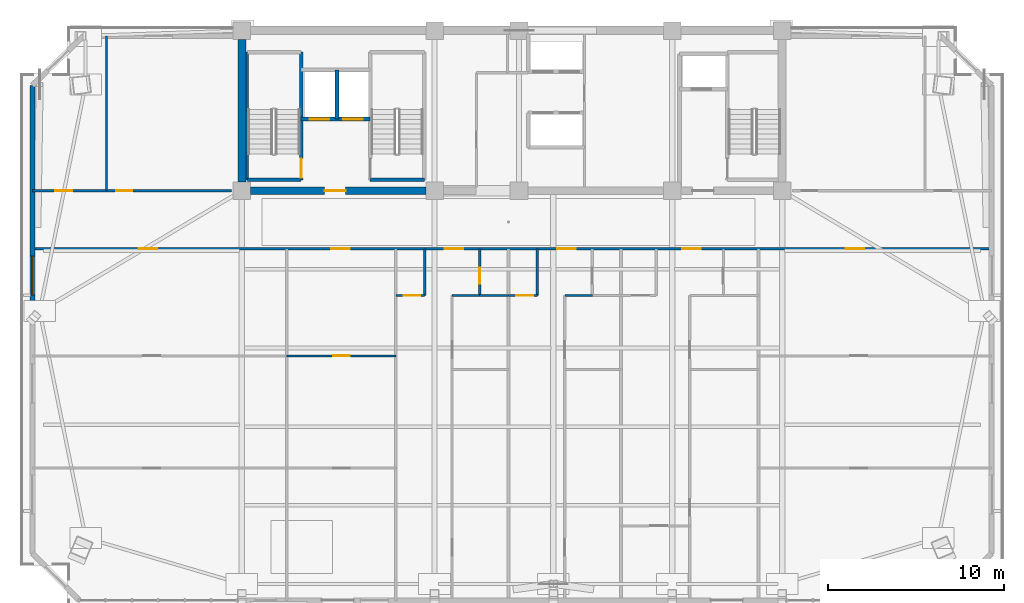
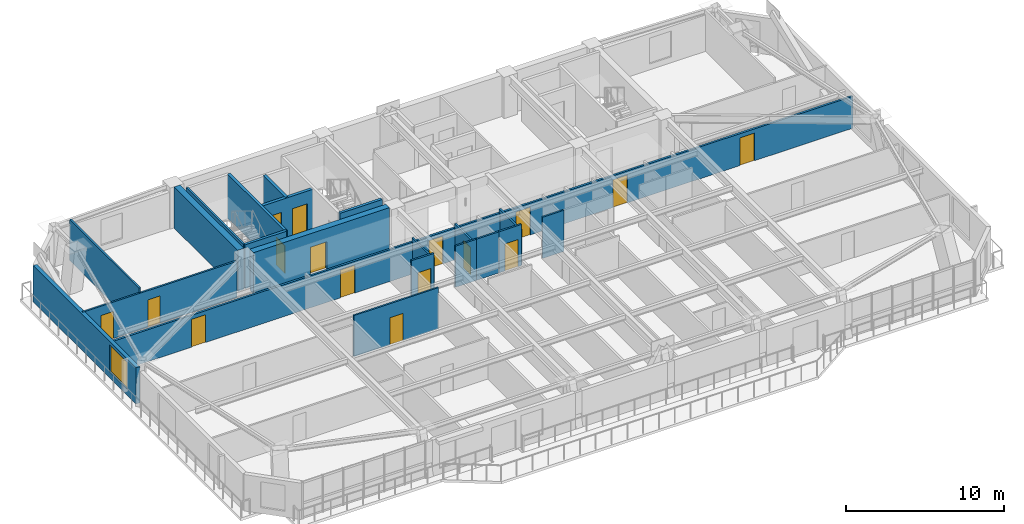
# One storey, part 9 of 18: 21 walls, 16 doors, 1 window, 17 openings.
"""IFC4 building model written with IfcOpenShell, lengths in metres."""

from ifc_helpers import new_model, si_unit, direction, frame, frame_2d, origin, place, context, subcontext, project, spatial, rectangle, extrude, source, transform, mapped, material, layer, layer_set, type_object, element, fill, save


model = new_model("IFC4")

# Units and contexts
model_context = context("Model", 3, precision=1e-05, world=origin(), true_north=direction((0.0, 1.0)))
body_context = subcontext(model_context, "Body", "Model", "MODEL_VIEW")
ifc_project = project(units=[si_unit("LENGTHUNIT", "METRE"), si_unit("AREAUNIT", "SQUARE_METRE"), si_unit("VOLUMEUNIT", "CUBIC_METRE"), si_unit("PLANEANGLEUNIT", "RADIAN"), si_unit("MASSUNIT", "GRAM", prefix="KILO")], contexts=[model_context])

# Site, building, storey
site_placement = place(None, origin())
site = spatial("IfcSite", under=ifc_project, at=site_placement, CompositionType="ELEMENT")
building_placement = place(site_placement, origin())
building = spatial("IfcBuilding", under=site, at=building_placement, Name="Giltprow Tower", CompositionType="ELEMENT")
storey_placement = place(building_placement, frame((0.0, 0.0, 245.10009765625)))
storey = spatial("IfcBuildingStorey", under=building, at=storey_placement, Name="L62", CompositionType="ELEMENT", Elevation=245.10009765625)

# Wall, opening, window
ifc_material_1 = material(Name="Precast concrete C40", Category="concrete")
ifc_layer_1 = layer(ifc_material_1, 0.280029296875, Name="Precast concrete C40")
ifc_layer_set_1 = layer_set([ifc_layer_1], Name="Precast concrete C40")
wall_type_1 = type_object("IfcWallType", Name="EW-TOW-BRONZE-280", PredefinedType="SOLIDWALL", material=ifc_layer_set_1)
wall_1_placement = place(storey_placement, frame((7.947998046875, 30.39111328125, 0.0), z_axis=(0.0, 0.0, 1.0), x_axis=(0.0, 1.0, 0.0)))
wall_1 = element("IfcWall", 1, at=wall_1_placement, inside=storey, type_object=wall_type_1, Name="L62 W Wing Masonry Wall 2", PredefinedType="SOLIDWALL", context=body_context, shape_type="SweptSolid", body=[
    extrude(rectangle(XDim=13.0478515625, YDim=0.280029296875, at=frame_2d((6.52392578125, 0.0))), origin(), (0.0, 0.0, 1.0), 2.81494140625),
])
opening_1_placement = place(wall_1_placement, frame((1.14404296875, 0.0, 0.449951171875)))
opening_1 = element("IfcOpeningElement", 2, at=opening_1_placement, cuts=wall_1, Name="Opening WN27", PredefinedType="OPENING", context=body_context, shape_type="SweptSolid", body=[
    extrude(rectangle(XDim=2.199951171875, YDim=2.10009765625, at=frame_2d((1.10009765625, 1.050048828125))), frame((0.0, 0.14990234375, 0.0), z_axis=(0.0, -1.0, 0.0), x_axis=(1.0, 0.0, 0.0)), (0.0, 0.0, 1.0), 0.300048828125),
])
ifc_material_2 = material(Name="Insulated glass", Category="glass")
window_type = type_object("IfcWindowType", Name="WN-RES-2200x2100", PartitioningType="TRIPLE_PANEL_VERTICAL", PredefinedType="WINDOW", material=ifc_material_2)
shared_shape_1 = source(origin(), body_context, "Body", "SweptSolid", [
    extrude(rectangle(XDim=2.199951171875, YDim=2.10009765625, at=frame_2d((1.10009765625, 1.050048828125))), frame((0.0, 0.030029296875, 0.0), z_axis=(0.0, -1.0, 0.0), x_axis=(1.0, 0.0, 0.0)), (0.0, 0.0, 1.0), 0.06005859375),
])
window_placement = place(opening_1_placement, origin())
window = element("IfcWindow", 3, at=window_placement, inside=storey, type_object=window_type, Name="L62 W Wing Window 2-1", OverallHeight=2.10009765625, OverallWidth=2.199951171875, PartitioningType="SINGLE_PANEL", PredefinedType="WINDOW", context=body_context, shape_type="MappedRepresentation", body=[
    mapped(shared_shape_1, transform((0.0, 0.0, 0.0), x_axis=(1.0, 0.0, 0.0), y_axis=(0.0, 1.0, 0.0), z_axis=(0.0, 0.0, 1.0), scale=1.0)),
])
fill(opening_1, window)

# Wall, openings, doors
ifc_material_3 = material(Name="Gypsum stud partition", Category="gypsum")
ifc_layer_2 = layer(ifc_material_3, 0.14990234375, Name="Gypsum stud partition")
ifc_layer_set_2 = layer_set([ifc_layer_2], Name="Gypsum stud partition")
wall_type_2 = type_object("IfcWallType", Name="IW-CORR-150", PredefinedType="PARTITIONING", material=ifc_layer_set_2)
wall_2_placement = place(storey_placement, frame((7.947998046875, 34.14990234375, 0.0), z_axis=(0.0, 0.0, 1.0), x_axis=(1.0, 0.0, 0.0)))
wall_2 = element("IfcWall", 4, at=wall_2_placement, inside=storey, type_object=wall_type_2, Name="L62 Residence Gallery Corridor Wall", PredefinedType="PARTITIONING", context=body_context, shape_type="SweptSolid", body=[
    extrude(rectangle(XDim=54.50390625, YDim=0.14990234375, at=frame_2d((27.251953125, 0.0))), origin(), (0.0, 0.0, 1.0), 2.469970703125),
])
opening_2_placement = place(wall_2_placement, frame((6.04296875, 0.0, 0.0)))
opening_2 = element("IfcOpeningElement", 5, at=opening_2_placement, cuts=wall_2, Name="Opening ID31", PredefinedType="OPENING", context=body_context, shape_type="SweptSolid", body=[
    extrude(rectangle(XDim=1.050048828125, YDim=2.14990234375, at=frame_2d((0.52490234375, 1.074951171875))), frame((0.0, 0.0849609375, 0.0), z_axis=(0.0, -1.0, 0.0), x_axis=(1.0, 0.0, 0.0)), (0.0, 0.0, 1.0), 0.169921875),
])
opening_3_placement = place(wall_2_placement, frame((16.97705078125, 0.0, 0.0)))
opening_3 = element("IfcOpeningElement", 6, at=opening_3_placement, cuts=wall_2, Name="Opening ID31", PredefinedType="OPENING", context=body_context, shape_type="SweptSolid", body=[
    extrude(rectangle(XDim=1.050048828125, YDim=2.14990234375, at=frame_2d((0.52490234375, 1.074951171875))), frame((0.0, 0.0849609375, 0.0), z_axis=(0.0, -1.0, 0.0), x_axis=(1.0, 0.0, 0.0)), (0.0, 0.0, 1.0), 0.169921875),
])
opening_4_placement = place(wall_2_placement, frame((23.427001953125, 0.0, 0.0)))
opening_4 = element("IfcOpeningElement", 7, at=opening_4_placement, cuts=wall_2, Name="Opening ID31", PredefinedType="OPENING", context=body_context, shape_type="SweptSolid", body=[
    extrude(rectangle(XDim=1.050048828125, YDim=2.14990234375, at=frame_2d((0.52490234375, 1.074951171875))), frame((0.0, 0.0849609375, 0.0), z_axis=(0.0, -1.0, 0.0), x_axis=(1.0, 0.0, 0.0)), (0.0, 0.0, 1.0), 0.169921875),
])
opening_5_placement = place(wall_2_placement, frame((29.826904296875, 0.0, 0.0)))
opening_5 = element("IfcOpeningElement", 8, at=opening_5_placement, cuts=wall_2, Name="Opening ID31", PredefinedType="OPENING", context=body_context, shape_type="SweptSolid", body=[
    extrude(rectangle(XDim=1.050048828125, YDim=2.14990234375, at=frame_2d((0.52490234375, 1.074951171875))), frame((0.0, 0.0849609375, 0.0), z_axis=(0.0, -1.0, 0.0), x_axis=(1.0, 0.0, 0.0)), (0.0, 0.0, 1.0), 0.169921875),
])
opening_6_placement = place(wall_2_placement, frame((36.927001953125, 0.0, 0.0)))
opening_6 = element("IfcOpeningElement", 9, at=opening_6_placement, cuts=wall_2, Name="Opening ID31", PredefinedType="OPENING", context=body_context, shape_type="SweptSolid", body=[
    extrude(rectangle(XDim=1.050048828125, YDim=2.14990234375, at=frame_2d((0.52490234375, 1.074951171875))), frame((0.0, 0.0849609375, 0.0), z_axis=(0.0, -1.0, 0.0), x_axis=(1.0, 0.0, 0.0)), (0.0, 0.0, 1.0), 0.169921875),
])
opening_7_placement = place(wall_2_placement, frame((46.222900390625, 0.0, 0.0)))
opening_7 = element("IfcOpeningElement", 10, at=opening_7_placement, cuts=wall_2, Name="Opening ID31", PredefinedType="OPENING", context=body_context, shape_type="SweptSolid", body=[
    extrude(rectangle(XDim=1.050048828125, YDim=2.14990234375, at=frame_2d((0.52490234375, 1.074951171875))), frame((0.0, 0.0849609375, 0.0), z_axis=(0.0, -1.0, 0.0), x_axis=(1.0, 0.0, 0.0)), (0.0, 0.0, 1.0), 0.169921875),
])
ifc_material_4 = material(Name="Engineered timber", Category="wood")
door_type_1 = type_object("IfcDoorType", Name="DR-SUITE-1050", OperationType="SINGLE_SWING_LEFT", PredefinedType="DOOR", material=ifc_material_4)
shared_shape_2 = source(origin(), body_context, "Body", "SweptSolid", [
    extrude(rectangle(XDim=1.050048828125, YDim=2.14990234375, at=frame_2d((0.52490234375, 1.074951171875))), frame((0.0, 0.02490234375, 0.0), z_axis=(0.0, -1.0, 0.0), x_axis=(1.0, 0.0, 0.0)), (0.0, 0.0, 1.0), 0.050048828125),
])
door_1_placement = place(opening_2_placement, origin())
door_1 = element("IfcDoor", 11, at=door_1_placement, inside=storey, type_object=door_type_1, Name="L62 Residents Home Office 1 North Door", OperationType="SINGLE_SWING_RIGHT", OverallHeight=2.14990234375, OverallWidth=1.050048828125, PredefinedType="DOOR", context=body_context, shape_type="MappedRepresentation", body=[
    mapped(shared_shape_2, transform((0.0, 0.0, 0.0), x_axis=(1.0, 0.0, 0.0), y_axis=(0.0, 1.0, 0.0), z_axis=(0.0, 0.0, 1.0), scale=1.0)),
])
fill(opening_2, door_1)
door_2_placement = place(opening_3_placement, origin())
door_2 = element("IfcDoor", 12, at=door_2_placement, inside=storey, type_object=door_type_1, Name="L62 Legal Study Office 2 North Door", OperationType="SINGLE_SWING_LEFT", OverallHeight=2.14990234375, OverallWidth=1.050048828125, PredefinedType="DOOR", context=body_context, shape_type="MappedRepresentation", body=[
    mapped(shared_shape_2, transform((0.0, 0.0, 0.0), x_axis=(1.0, 0.0, 0.0), y_axis=(0.0, 1.0, 0.0), z_axis=(0.0, 0.0, 1.0), scale=1.0)),
])
fill(opening_3, door_2)
door_3_placement = place(opening_4_placement, origin())
door_3 = element("IfcDoor", 13, at=door_3_placement, inside=storey, type_object=door_type_1, Name="L62 Unit 1 Entrance Door", OperationType="SINGLE_SWING_RIGHT", OverallHeight=2.14990234375, OverallWidth=1.050048828125, PredefinedType="DOOR", context=body_context, shape_type="MappedRepresentation", body=[
    mapped(shared_shape_2, transform((0.0, 0.0, 0.0), x_axis=(1.0, 0.0, 0.0), y_axis=(0.0, 1.0, 0.0), z_axis=(0.0, 0.0, 1.0), scale=1.0)),
])
fill(opening_4, door_3)
door_4_placement = place(opening_5_placement, origin())
door_4 = element("IfcDoor", 14, at=door_4_placement, inside=storey, type_object=door_type_1, Name="L62 Unit 2 Entrance Door", OperationType="SINGLE_SWING_LEFT", OverallHeight=2.14990234375, OverallWidth=1.050048828125, PredefinedType="DOOR", context=body_context, shape_type="MappedRepresentation", body=[
    mapped(shared_shape_2, transform((0.0, 0.0, 0.0), x_axis=(1.0, 0.0, 0.0), y_axis=(0.0, 1.0, 0.0), z_axis=(0.0, 0.0, 1.0), scale=1.0)),
])
fill(opening_5, door_4)
door_5_placement = place(opening_6_placement, origin())
door_5 = element("IfcDoor", 15, at=door_5_placement, inside=storey, type_object=door_type_1, Name="L62 Unit 3 Entrance Door", OperationType="SINGLE_SWING_RIGHT", OverallHeight=2.14990234375, OverallWidth=1.050048828125, PredefinedType="DOOR", context=body_context, shape_type="MappedRepresentation", body=[
    mapped(shared_shape_2, transform((0.0, 0.0, 0.0), x_axis=(1.0, 0.0, 0.0), y_axis=(0.0, 1.0, 0.0), z_axis=(0.0, 0.0, 1.0), scale=1.0)),
])
fill(opening_6, door_5)
door_6_placement = place(opening_7_placement, origin())
door_6 = element("IfcDoor", 16, at=door_6_placement, inside=storey, type_object=door_type_1, Name="L62 Portfolio Office 3 North Door", OperationType="SINGLE_SWING_RIGHT", OverallHeight=2.14990234375, OverallWidth=1.050048828125, PredefinedType="DOOR", context=body_context, shape_type="MappedRepresentation", body=[
    mapped(shared_shape_2, transform((0.0, 0.0, 0.0), x_axis=(1.0, 0.0, 0.0), y_axis=(0.0, 1.0, 0.0), z_axis=(0.0, 0.0, 1.0), scale=1.0)),
])
fill(opening_7, door_6)

# Wall, opening, door
ifc_layer_3 = layer(ifc_material_3, 0.1201171875, Name="Gypsum stud partition")
ifc_layer_set_3 = layer_set([ifc_layer_3], Name="Gypsum stud partition")
wall_type_3 = type_object("IfcWallType", Name="IW-ROOM-120", PredefinedType="PARTITIONING", material=ifc_layer_set_3)
wall_3_placement = place(storey_placement, frame((22.39990234375, 28.068115234375, 0.0), z_axis=(0.0, 0.0, 1.0), x_axis=(1.0, 0.0, 0.0)))
wall_3 = element("IfcWall", 17, at=wall_3_placement, inside=storey, type_object=wall_type_3, Name="L62 Special Split 2", PredefinedType="PARTITIONING", context=body_context, shape_type="SweptSolid", body=[
    extrude(rectangle(XDim=6.2001953125, YDim=0.1201171875, at=frame_2d((3.10009765625, 0.0))), origin(), (0.0, 0.0, 1.0), 3.184814453125),
])
opening_8_placement = place(wall_3_placement, frame((2.64599609375, 0.0, 0.0)))
opening_8 = element("IfcOpeningElement", 18, at=opening_8_placement, cuts=wall_3, Name="Opening ID11", PredefinedType="OPENING", context=body_context, shape_type="SweptSolid", body=[
    extrude(rectangle(XDim=0.949951171875, YDim=2.10009765625, at=frame_2d((0.47509765625, 1.050048828125))), frame((0.0, 0.070068359375, 0.0), z_axis=(0.0, -1.0, 0.0), x_axis=(1.0, 0.0, 0.0)), (0.0, 0.0, 1.0), 0.14013671875),
])
door_type_2 = type_object("IfcDoorType", Name="DR-ROOM-950", OperationType="SINGLE_SWING_RIGHT", PredefinedType="DOOR", material=ifc_material_4)
shared_shape_3 = source(origin(), body_context, "Body", "SweptSolid", [
    extrude(rectangle(XDim=0.949951171875, YDim=2.10009765625, at=frame_2d((0.47509765625, 1.050048828125))), frame((0.0, 0.02490234375, 0.0), z_axis=(0.0, -1.0, 0.0), x_axis=(1.0, 0.0, 0.0)), (0.0, 0.0, 1.0), 0.050048828125),
])
door_7_placement = place(opening_8_placement, origin())
door_7 = element("IfcDoor", 19, at=door_7_placement, inside=storey, type_object=door_type_2, Name="L62 Legal Study Office 2 Mid Door", OperationType="SINGLE_SWING_RIGHT", OverallHeight=2.10009765625, OverallWidth=0.949951171875, PredefinedType="DOOR", context=body_context, shape_type="MappedRepresentation", body=[
    mapped(shared_shape_3, transform((0.0, 0.0, 0.0), x_axis=(1.0, 0.0, 0.0), y_axis=(0.0, 1.0, 0.0), z_axis=(0.0, 0.0, 1.0), scale=1.0)),
])
fill(opening_8, door_7)

# Walls
for number, where, z_axis, x_axis, name in (
    (20, (31.800048828125, 31.5, 0.0), (0.0, 0.0, 1.0), (1.0, 0.0, 0.0), "L62 Unit 1 Bedroom North Wall"),
    (21, (38.199951171875, 31.5, 0.0), (0.0, 0.0, 1.0), (1.0, 0.0, 0.0), "L62 Unit 2 Bedroom North Wall"),
):
    element("IfcWall", number, at=place(storey_placement, frame(where, z_axis=z_axis, x_axis=x_axis)), inside=storey, type_object=wall_type_3, Name=name, PredefinedType="PARTITIONING", context=body_context, shape_type="SweptSolid", body=[
        extrude(rectangle(XDim=1.56005859375, YDim=0.1201171875, at=frame_2d((0.780029296875, 0.0))), origin(), (0.0, 0.0, 1.0), 3.184814453125),
    ])

# Wall, openings, doors
ifc_material_5 = material(Name="Concrete C40", Category="concrete")
ifc_layer_4 = layer(ifc_material_5, 0.219970703125, Name="Concrete C40")
ifc_layer_set_4 = layer_set([ifc_layer_4], Name="Concrete C40")
wall_type_4 = type_object("IfcWallType", Name="IW-SHAFT-220", PredefinedType="SOLIDWALL", material=ifc_layer_set_4)
wall_4_placement = place(storey_placement, frame((23.219970703125, 41.52001953125, 0.0), z_axis=(0.0, 0.0, 1.0), x_axis=(1.0, 0.0, 0.0)))
wall_4 = element("IfcWall", 22, at=wall_4_placement, inside=storey, type_object=wall_type_4, Name="L62 FFL1 and Service Lift Front Wall", PredefinedType="SOLIDWALL", context=body_context, shape_type="SweptSolid", body=[
    extrude(rectangle(XDim=3.919921875, YDim=0.219970703125, at=frame_2d((1.9599609375, 0.0))), origin(), (0.0, 0.0, 1.0), 3.184814453125),
])
opening_9_placement = place(wall_4_placement, frame((0.5, 0.0, 0.0)))
opening_9 = element("IfcOpeningElement", 23, at=opening_9_placement, cuts=wall_4, Name="Opening LD-11", PredefinedType="OPENING", context=body_context, shape_type="SweptSolid", body=[
    extrude(rectangle(XDim=1.10009765625, YDim=2.199951171875, at=frame_2d((0.550048828125, 1.10009765625))), frame((0.0, 0.119873046875, 0.0), z_axis=(0.0, -1.0, 0.0), x_axis=(1.0, 0.0, 0.0)), (0.0, 0.0, 1.0), 0.239990234375),
])
opening_10_placement = place(wall_4_placement, frame((2.39990234375, 0.0, 0.0)))
opening_10 = element("IfcOpeningElement", 24, at=opening_10_placement, cuts=wall_4, Name="Opening LD-11", PredefinedType="OPENING", context=body_context, shape_type="SweptSolid", body=[
    extrude(rectangle(XDim=1.10009765625, YDim=2.199951171875, at=frame_2d((0.550048828125, 1.10009765625))), frame((0.0, 0.119873046875, 0.0), z_axis=(0.0, -1.0, 0.0), x_axis=(1.0, 0.0, 0.0)), (0.0, 0.0, 1.0), 0.239990234375),
])
ifc_material_6 = material(Name="Stainless steel", Category="steel")
door_type_3 = type_object("IfcDoorType", Name="DR-LIFT-LD1100", OperationType="SLIDING_TO_LEFT", PredefinedType="DOOR", material=ifc_material_6)
shared_shape_4 = source(origin(), body_context, "Body", "SweptSolid", [
    extrude(rectangle(XDim=1.10009765625, YDim=2.199951171875, at=frame_2d((0.550048828125, 1.10009765625))), frame((0.0, 0.02490234375, 0.0), z_axis=(0.0, -1.0, 0.0), x_axis=(1.0, 0.0, 0.0)), (0.0, 0.0, 1.0), 0.050048828125),
])
door_8_placement = place(opening_9_placement, origin())
door_8 = element("IfcDoor", 25, at=door_8_placement, inside=storey, type_object=door_type_3, Name="L62 FFL1 Landing Door", OperationType="SLIDING_TO_LEFT", OverallHeight=2.199951171875, OverallWidth=1.10009765625, PredefinedType="DOOR", context=body_context, shape_type="MappedRepresentation", body=[
    mapped(shared_shape_4, transform((0.0, 0.0, 0.0), x_axis=(1.0, 0.0, 0.0), y_axis=(0.0, 1.0, 0.0), z_axis=(0.0, 0.0, 1.0), scale=1.0)),
])
fill(opening_9, door_8)
door_9_placement = place(opening_10_placement, origin())
door_9 = element("IfcDoor", 26, at=door_9_placement, inside=storey, type_object=door_type_3, Name="L62 SVL1 Landing Door", OperationType="SLIDING_TO_LEFT", OverallHeight=2.199951171875, OverallWidth=1.10009765625, PredefinedType="DOOR", context=body_context, shape_type="MappedRepresentation", body=[
    mapped(shared_shape_4, transform((0.0, 0.0, 0.0), x_axis=(1.0, 0.0, 0.0), y_axis=(0.0, 1.0, 0.0), z_axis=(0.0, 0.0, 1.0), scale=1.0)),
])
fill(opening_10, door_9)

# Walls
wall_5_placement = place(storey_placement, frame((25.260009765625, 41.52001953125, 0.0), z_axis=(0.0, 0.0, 1.0), x_axis=(0.0, 1.0, 0.0)))
element("IfcWall", 27, at=wall_5_placement, inside=storey, type_object=wall_type_4, Name="L62 FFL1-SVL1 Shaft Divider", PredefinedType="SOLIDWALL", context=body_context, shape_type="SweptSolid", body=[
    extrude(rectangle(XDim=2.800048828125, YDim=0.219970703125, at=frame_2d((1.39990234375, 0.0))), origin(), (0.0, 0.0, 1.0), 3.184814453125),
])
ifc_material_7 = material(Name="Concrete C45", Category="concrete")
ifc_layer_5 = layer(ifc_material_7, 0.139892578125, Name="Concrete C45")
ifc_layer_set_5 = layer_set([ifc_layer_5], Name="Concrete C45")
wall_type_5 = type_object("IfcWallType", Name="IW-STAIR-140", PredefinedType="SOLIDWALL", material=ifc_layer_set_5)
wall_6_placement = place(storey_placement, frame((20.169921875, 38.070068359375, 0.0), z_axis=(0.0, 0.0, 1.0), x_axis=(0.0, 1.0, 0.0)))
element("IfcWall", 28, at=wall_6_placement, inside=storey, type_object=wall_type_5, Name="L62 Stair ST-1 West Bearing Wall", PredefinedType="SOLIDWALL", context=body_context, shape_type="SweptSolid", body=[
    extrude(rectangle(XDim=7.25, YDim=0.139892578125, at=frame_2d((3.625, 0.0))), origin(), (0.0, 0.0, 1.0), 3.39990234375),
])

# Wall, opening, door
ifc_layer_6 = layer(ifc_material_5, 0.199951171875, Name="Concrete C40")
ifc_layer_set_6 = layer_set([ifc_layer_6], Name="Concrete C40")
wall_type_6 = type_object("IfcWallType", Name="IW-STAIR-200", PredefinedType="SOLIDWALL", material=ifc_layer_set_6)
wall_7_placement = place(storey_placement, frame((23.219970703125, 38.070068359375, 0.0), z_axis=(0.0, 0.0, 1.0), x_axis=(0.0, 1.0, 0.0)))
wall_7 = element("IfcWall", 29, at=wall_7_placement, inside=storey, type_object=wall_type_6, Name="L62 Stair ST-1 East Bearing Wall", PredefinedType="SOLIDWALL", context=body_context, shape_type="SweptSolid", body=[
    extrude(rectangle(XDim=7.25, YDim=0.199951171875, at=frame_2d((3.625, 0.0))), origin(), (0.0, 0.0, 1.0), 3.39990234375),
])
opening_11_placement = place(wall_7_placement, frame((0.110107421875, 0.0, 0.0)))
opening_11 = element("IfcOpeningElement", 30, at=opening_11_placement, cuts=wall_7, Name="Opening ID33", PredefinedType="OPENING", context=body_context, shape_type="SweptSolid", body=[
    extrude(rectangle(XDim=1.10009765625, YDim=2.14990234375, at=frame_2d((0.550048828125, 1.074951171875))), frame((0.0, 0.10986328125, 0.0), z_axis=(0.0, -1.0, 0.0), x_axis=(1.0, 0.0, 0.0)), (0.0, 0.0, 1.0), 0.219970703125),
])
ifc_material_8 = material(Name="Steel fire leaf", Category="steel")
door_type_4 = type_object("IfcDoorType", Name="DR-STAIR-1100", OperationType="SINGLE_SWING_LEFT", PredefinedType="DOOR", material=ifc_material_8)
shared_shape_5 = source(origin(), body_context, "Body", "SweptSolid", [
    extrude(rectangle(XDim=1.10009765625, YDim=2.14990234375, at=frame_2d((0.550048828125, 1.074951171875))), frame((0.0, 0.02490234375, 0.0), z_axis=(0.0, -1.0, 0.0), x_axis=(1.0, 0.0, 0.0)), (0.0, 0.0, 1.0), 0.050048828125),
])
door_10_placement = place(opening_11_placement, origin())
door_10 = element("IfcDoor", 31, at=door_10_placement, inside=storey, type_object=door_type_4, Name="L62 Stair ST-1 Fire Door", OperationType="SINGLE_SWING_LEFT", OverallHeight=2.14990234375, OverallWidth=1.10009765625, PredefinedType="DOOR", context=body_context, shape_type="MappedRepresentation", body=[
    mapped(shared_shape_5, transform((0.0, 0.0, 0.0), x_axis=(1.0, 0.0, 0.0), y_axis=(0.0, 1.0, 0.0), z_axis=(0.0, 0.0, 1.0), scale=1.0)),
])
fill(opening_11, door_10)

# Walls
wall_8_placement = place(storey_placement, frame((20.169921875, 38.070068359375, 0.0), z_axis=(0.0, 0.0, 1.0), x_axis=(1.0, 0.0, 0.0)))
element("IfcWall", 32, at=wall_8_placement, inside=storey, type_object=wall_type_6, Name="L62 Stair ST-1 South Bearing Wall", PredefinedType="SOLIDWALL", context=body_context, shape_type="SweptSolid", body=[
    extrude(rectangle(XDim=3.050048828125, YDim=0.199951171875, at=frame_2d((1.52490234375, 0.0))), origin(), (0.0, 0.0, 1.0), 3.39990234375),
])
wall_9_placement = place(storey_placement, frame((27.139892578125, 38.070068359375, 0.0), z_axis=(0.0, 0.0, 1.0), x_axis=(1.0, 0.0, 0.0)))
element("IfcWall", 33, at=wall_9_placement, inside=storey, type_object=wall_type_6, Name="L62 Stair ST-2 South Bearing Wall", PredefinedType="SOLIDWALL", context=body_context, shape_type="SweptSolid", body=[
    extrude(rectangle(XDim=3.080078125, YDim=0.199951171875, at=frame_2d((1.5400390625, 0.0))), origin(), (0.0, 0.0, 1.0), 3.39990234375),
])

# Wall, opening, door
ifc_material_9 = material(Name="Concrete C30", Category="concrete")
ifc_layer_7 = layer(ifc_material_9, 0.1298828125, Name="Concrete C30")
ifc_layer_set_7 = layer_set([ifc_layer_7], Name="Concrete C30")
wall_type_7 = type_object("IfcWallType", Name="IW-WET-130", PredefinedType="PARTITIONING", material=ifc_layer_set_7)
wall_10_placement = place(storey_placement, frame((28.60009765625, 31.5, 0.0), z_axis=(0.0, 0.0, 1.0), x_axis=(1.0, 0.0, 0.0)))
wall_10 = element("IfcWall", 34, at=wall_10_placement, inside=storey, type_object=wall_type_7, Name="L62 Unit 1 Kitchen South Wall", PredefinedType="PARTITIONING", context=body_context, shape_type="SweptSolid", body=[
    extrude(rectangle(XDim=1.639892578125, YDim=0.1298828125, at=frame_2d((0.81982421875, 0.0))), origin(), (0.0, 0.0, 1.0), 3.184814453125),
])
opening_12_placement = place(wall_10_placement, frame((0.449951171875, 0.0, 0.0)))
opening_12 = element("IfcOpeningElement", 35, at=opening_12_placement, cuts=wall_10, Name="Opening ID11", PredefinedType="OPENING", context=body_context, shape_type="SweptSolid", body=[
    extrude(rectangle(XDim=0.949951171875, YDim=2.10009765625, at=frame_2d((0.47509765625, 1.050048828125))), frame((0.0, 0.074951171875, 0.0), z_axis=(0.0, -1.0, 0.0), x_axis=(1.0, 0.0, 0.0)), (0.0, 0.0, 1.0), 0.14990234375),
])
door_11_placement = place(opening_12_placement, origin())
door_11 = element("IfcDoor", 36, at=door_11_placement, inside=storey, type_object=door_type_2, Name="L62 Unit 1 Kitchen Door", OperationType="SINGLE_SWING_LEFT", OverallHeight=2.10009765625, OverallWidth=0.949951171875, PredefinedType="DOOR", context=body_context, shape_type="MappedRepresentation", body=[
    mapped(shared_shape_3, transform((0.0, 0.0, 0.0), x_axis=(1.0, 0.0, 0.0), y_axis=(0.0, 1.0, 0.0), z_axis=(0.0, 0.0, 1.0), scale=1.0)),
])
fill(opening_12, door_11)

# Walls
wall_11_placement = place(storey_placement, frame((30.239990234375, 31.5, 0.0), z_axis=(0.0, 0.0, 1.0), x_axis=(0.0, 1.0, 0.0)))
element("IfcWall", 37, at=wall_11_placement, inside=storey, type_object=wall_type_7, Name="L62 Unit 1 Kitchen East Wall", PredefinedType="PARTITIONING", context=body_context, shape_type="SweptSolid", body=[
    extrude(rectangle(XDim=2.64990234375, YDim=0.1298828125, at=frame_2d((1.324951171875, 0.0))), origin(), (0.0, 0.0, 1.0), 2.77001953125),
])
wall_12_placement = place(storey_placement, frame((33.360107421875, 31.5, 0.0), z_axis=(0.0, 0.0, 1.0), x_axis=(1.0, 0.0, 0.0)))
element("IfcWall", 38, at=wall_12_placement, inside=storey, type_object=wall_type_7, Name="L62 Unit 1 Bathroom South Wall", PredefinedType="PARTITIONING", context=body_context, shape_type="SweptSolid", body=[
    extrude(rectangle(XDim=1.639892578125, YDim=0.1298828125, at=frame_2d((0.81982421875, 0.0))), origin(), (0.0, 0.0, 1.0), 3.184814453125),
])

# Wall, opening, door
wall_13_placement = place(storey_placement, frame((33.360107421875, 31.5, 0.0), z_axis=(0.0, 0.0, 1.0), x_axis=(0.0, 1.0, 0.0)))
wall_13 = element("IfcWall", 39, at=wall_13_placement, inside=storey, type_object=wall_type_7, Name="L62 Unit 1 Bathroom West Wall", PredefinedType="PARTITIONING", context=body_context, shape_type="SweptSolid", body=[
    extrude(rectangle(XDim=2.64990234375, YDim=0.1298828125, at=frame_2d((1.324951171875, 0.0))), origin(), (0.0, 0.0, 1.0), 2.77001953125),
])
opening_13_placement = place(wall_13_placement, frame((0.669921875, 0.0, 0.0)))
opening_13 = element("IfcOpeningElement", 40, at=opening_13_placement, cuts=wall_13, Name="Opening ID15", PredefinedType="OPENING", context=body_context, shape_type="SweptSolid", body=[
    extrude(rectangle(XDim=0.89990234375, YDim=2.10009765625, at=frame_2d((0.449951171875, 1.050048828125))), frame((0.0, 0.074951171875, 0.0), z_axis=(0.0, -1.0, 0.0), x_axis=(1.0, 0.0, 0.0)), (0.0, 0.0, 1.0), 0.14990234375),
])
door_type_5 = type_object("IfcDoorType", Name="DR-WC-900", OperationType="SINGLE_SWING_LEFT", PredefinedType="DOOR", material=ifc_material_4)
shared_shape_6 = source(origin(), body_context, "Body", "SweptSolid", [
    extrude(rectangle(XDim=0.89990234375, YDim=2.10009765625, at=frame_2d((0.449951171875, 1.050048828125))), frame((0.0, 0.02490234375, 0.0), z_axis=(0.0, -1.0, 0.0), x_axis=(1.0, 0.0, 0.0)), (0.0, 0.0, 1.0), 0.050048828125),
])
door_12_placement = place(opening_13_placement, origin())
door_12 = element("IfcDoor", 41, at=door_12_placement, inside=storey, type_object=door_type_5, Name="L62 Unit 1 Bathroom Door", OperationType="SINGLE_SWING_RIGHT", OverallHeight=2.10009765625, OverallWidth=0.89990234375, PredefinedType="DOOR", context=body_context, shape_type="MappedRepresentation", body=[
    mapped(shared_shape_6, transform((0.0, 0.0, 0.0), x_axis=(1.0, 0.0, 0.0), y_axis=(0.0, 1.0, 0.0), z_axis=(0.0, 0.0, 1.0), scale=1.0)),
])
fill(opening_13, door_12)

wall_14_placement = place(storey_placement, frame((35.0, 31.5, 0.0), z_axis=(0.0, 0.0, 1.0), x_axis=(1.0, 0.0, 0.0)))
wall_14 = element("IfcWall", 42, at=wall_14_placement, inside=storey, type_object=wall_type_7, Name="L62 Unit 2 Kitchen South Wall", PredefinedType="PARTITIONING", context=body_context, shape_type="SweptSolid", body=[
    extrude(rectangle(XDim=1.639892578125, YDim=0.1298828125, at=frame_2d((0.81982421875, 0.0))), origin(), (0.0, 0.0, 1.0), 3.184814453125),
])
opening_14_placement = place(wall_14_placement, frame((0.449951171875, 0.0, 0.0)))
opening_14 = element("IfcOpeningElement", 43, at=opening_14_placement, cuts=wall_14, Name="Opening ID11", PredefinedType="OPENING", context=body_context, shape_type="SweptSolid", body=[
    extrude(rectangle(XDim=0.949951171875, YDim=2.10009765625, at=frame_2d((0.47509765625, 1.050048828125))), frame((0.0, 0.074951171875, 0.0), z_axis=(0.0, -1.0, 0.0), x_axis=(1.0, 0.0, 0.0)), (0.0, 0.0, 1.0), 0.14990234375),
])
door_13_placement = place(opening_14_placement, origin())
door_13 = element("IfcDoor", 44, at=door_13_placement, inside=storey, type_object=door_type_2, Name="L62 Unit 2 Kitchen Door", OperationType="SINGLE_SWING_RIGHT", OverallHeight=2.10009765625, OverallWidth=0.949951171875, PredefinedType="DOOR", context=body_context, shape_type="MappedRepresentation", body=[
    mapped(shared_shape_3, transform((0.0, 0.0, 0.0), x_axis=(1.0, 0.0, 0.0), y_axis=(0.0, 1.0, 0.0), z_axis=(0.0, 0.0, 1.0), scale=1.0)),
])
fill(opening_14, door_13)

# Wall
wall_15_placement = place(storey_placement, frame((36.639892578125, 31.5, 0.0), z_axis=(0.0, 0.0, 1.0), x_axis=(0.0, 1.0, 0.0)))
element("IfcWall", 45, at=wall_15_placement, inside=storey, type_object=wall_type_7, Name="L62 Unit 2 Kitchen East Wall", PredefinedType="PARTITIONING", context=body_context, shape_type="SweptSolid", body=[
    extrude(rectangle(XDim=2.64990234375, YDim=0.1298828125, at=frame_2d((1.324951171875, 0.0))), origin(), (0.0, 0.0, 1.0), 2.77001953125),
])

# Wall, openings, doors
wall_16_placement = place(storey_placement, frame((7.947998046875, 37.449951171875, 0.0), z_axis=(0.0, 0.0, 1.0), x_axis=(1.0, 0.0, 0.0)))
wall_16 = element("IfcWall", 46, at=wall_16_placement, inside=storey, type_object=wall_type_7, Name="L62 NW Wing South Wall", PredefinedType="PARTITIONING", context=body_context, shape_type="SweptSolid", body=[
    extrude(rectangle(XDim=11.302001953125, YDim=0.1298828125, at=frame_2d((5.65087890625, 0.0))), origin(), (0.0, 0.0, 1.0), 2.81982421875),
])
opening_15_placement = place(wall_16_placement, frame((1.31591796875, 0.0, 0.0)))
opening_15 = element("IfcOpeningElement", 47, at=opening_15_placement, cuts=wall_16, Name="Opening ID11", PredefinedType="OPENING", context=body_context, shape_type="SweptSolid", body=[
    extrude(rectangle(XDim=0.949951171875, YDim=2.10009765625, at=frame_2d((0.47509765625, 1.050048828125))), frame((0.0, 0.074951171875, 0.0), z_axis=(0.0, -1.0, 0.0), x_axis=(1.0, 0.0, 0.0)), (0.0, 0.0, 1.0), 0.14990234375),
])
opening_16_placement = place(wall_16_placement, frame((4.764892578125, 0.0, 0.0)))
opening_16 = element("IfcOpeningElement", 48, at=opening_16_placement, cuts=wall_16, Name="Opening ID15", PredefinedType="OPENING", context=body_context, shape_type="SweptSolid", body=[
    extrude(rectangle(XDim=0.89990234375, YDim=2.10009765625, at=frame_2d((0.449951171875, 1.050048828125))), frame((0.0, 0.074951171875, 0.0), z_axis=(0.0, -1.0, 0.0), x_axis=(1.0, 0.0, 0.0)), (0.0, 0.0, 1.0), 0.14990234375),
])
door_14_placement = place(opening_16_placement, origin())
door_14 = element("IfcDoor", 49, at=door_14_placement, inside=storey, type_object=door_type_5, Name="L62 NW Washroom Door", OperationType="SINGLE_SWING_RIGHT", OverallHeight=2.10009765625, OverallWidth=0.89990234375, PredefinedType="DOOR", context=body_context, shape_type="MappedRepresentation", body=[
    mapped(shared_shape_6, transform((0.0, 0.0, 0.0), x_axis=(1.0, 0.0, 0.0), y_axis=(0.0, 1.0, 0.0), z_axis=(0.0, 0.0, 1.0), scale=1.0)),
])
fill(opening_16, door_14)
door_15_placement = place(opening_15_placement, origin())
door_15 = element("IfcDoor", 50, at=door_15_placement, inside=storey, type_object=door_type_2, Name="L62 Residents Study Office West Door", OperationType="SINGLE_SWING_LEFT", OverallHeight=2.10009765625, OverallWidth=0.949951171875, PredefinedType="DOOR", context=body_context, shape_type="MappedRepresentation", body=[
    mapped(shared_shape_3, transform((0.0, 0.0, 0.0), x_axis=(1.0, 0.0, 0.0), y_axis=(0.0, 1.0, 0.0), z_axis=(0.0, 0.0, 1.0), scale=1.0)),
])
fill(opening_15, door_15)

# Wall
wall_17_placement = place(storey_placement, frame((12.1630859375, 37.449951171875, 0.0), z_axis=(0.0, 0.0, 1.0), x_axis=(0.0, 1.0, 0.0)))
element("IfcWall", 51, at=wall_17_placement, inside=storey, type_object=wall_type_7, Name="L62 NW Wing Divider", PredefinedType="PARTITIONING", context=body_context, shape_type="SweptSolid", body=[
    extrude(rectangle(XDim=8.800048828125, YDim=0.1298828125, at=frame_2d((4.39990234375, 0.0))), origin(), (0.0, 0.0, 1.0), 3.184814453125),
])

# Wall, opening, door
ifc_material_10 = material(Name="Concrete C50", Category="concrete")
ifc_layer_8 = layer(ifc_material_10, 0.449951171875, Name="Concrete C50")
ifc_layer_set_8 = layer_set([ifc_layer_8], Name="Concrete C50")
wall_type_8 = type_object("IfcWallType", Name="SW-INT-450-C50", PredefinedType="SHEAR", material=ifc_layer_set_8)
wall_18_placement = place(storey_placement, frame((20.35009765625, 37.449951171875, 0.0), z_axis=(0.0, 0.0, 1.0), x_axis=(1.0, 0.0, 0.0)))
wall_18 = element("IfcWall", 52, at=wall_18_placement, inside=storey, type_object=wall_type_8, Name="L62 South Rear Core Shear Wall West", PredefinedType="SHEAR", context=body_context, shape_type="SweptSolid", body=[
    extrude(rectangle(XDim=9.949951171875, YDim=0.449951171875, at=frame_2d((4.97509765625, 0.0))), origin(), (0.0, 0.0, 1.0), 3.184814453125),
])
opening_17_placement = place(wall_18_placement, frame((4.199951171875, 0.0, 0.0)))
opening_17 = element("IfcOpeningElement", 53, at=opening_17_placement, cuts=wall_18, Name="Opening ID19", PredefinedType="OPENING", context=body_context, shape_type="SweptSolid", body=[
    extrude(rectangle(XDim=1.199951171875, YDim=2.14990234375, at=frame_2d((0.60009765625, 1.074951171875))), frame((0.0, 0.23486328125, 0.0), z_axis=(0.0, -1.0, 0.0), x_axis=(1.0, 0.0, 0.0)), (0.0, 0.0, 1.0), 0.469970703125),
])
door_type_6 = type_object("IfcDoorType", Name="DR-FFLOBBY-1200", OperationType="SINGLE_SWING_RIGHT", PredefinedType="DOOR", material=ifc_material_8)
shared_shape_7 = source(origin(), body_context, "Body", "SweptSolid", [
    extrude(rectangle(XDim=1.199951171875, YDim=2.14990234375, at=frame_2d((0.60009765625, 1.074951171875))), frame((0.0, 0.02490234375, 0.0), z_axis=(0.0, -1.0, 0.0), x_axis=(1.0, 0.0, 0.0)), (0.0, 0.0, 1.0), 0.050048828125),
])
door_16_placement = place(opening_17_placement, origin())
door_16 = element("IfcDoor", 54, at=door_16_placement, inside=storey, type_object=door_type_6, Name="L62 West Firefighting Lobby Entry Door", OperationType="SINGLE_SWING_RIGHT", OverallHeight=2.14990234375, OverallWidth=1.199951171875, PredefinedType="DOOR", context=body_context, shape_type="MappedRepresentation", body=[
    mapped(shared_shape_7, transform((0.0, 0.0, 0.0), x_axis=(1.0, 0.0, 0.0), y_axis=(0.0, 1.0, 0.0), z_axis=(0.0, 0.0, 1.0), scale=1.0)),
])
fill(opening_17, door_16)

# Wall
wall_19_placement = place(storey_placement, frame((19.85009765625, 37.949951171875, 0.0), z_axis=(0.0, 0.0, 1.0), x_axis=(0.0, 1.0, 0.0)))
element("IfcWall", 55, at=wall_19_placement, inside=storey, type_object=wall_type_8, Name="L62 W Rear Core Shear Wall", PredefinedType="SHEAR", context=body_context, shape_type="SweptSolid", body=[
    extrude(rectangle(XDim=8.10009765625, YDim=0.449951171875, at=frame_2d((4.050048828125, 0.0))), origin(), (0.0, 0.0, 1.0), 3.184814453125),
])

save(model, "model.ifc")
